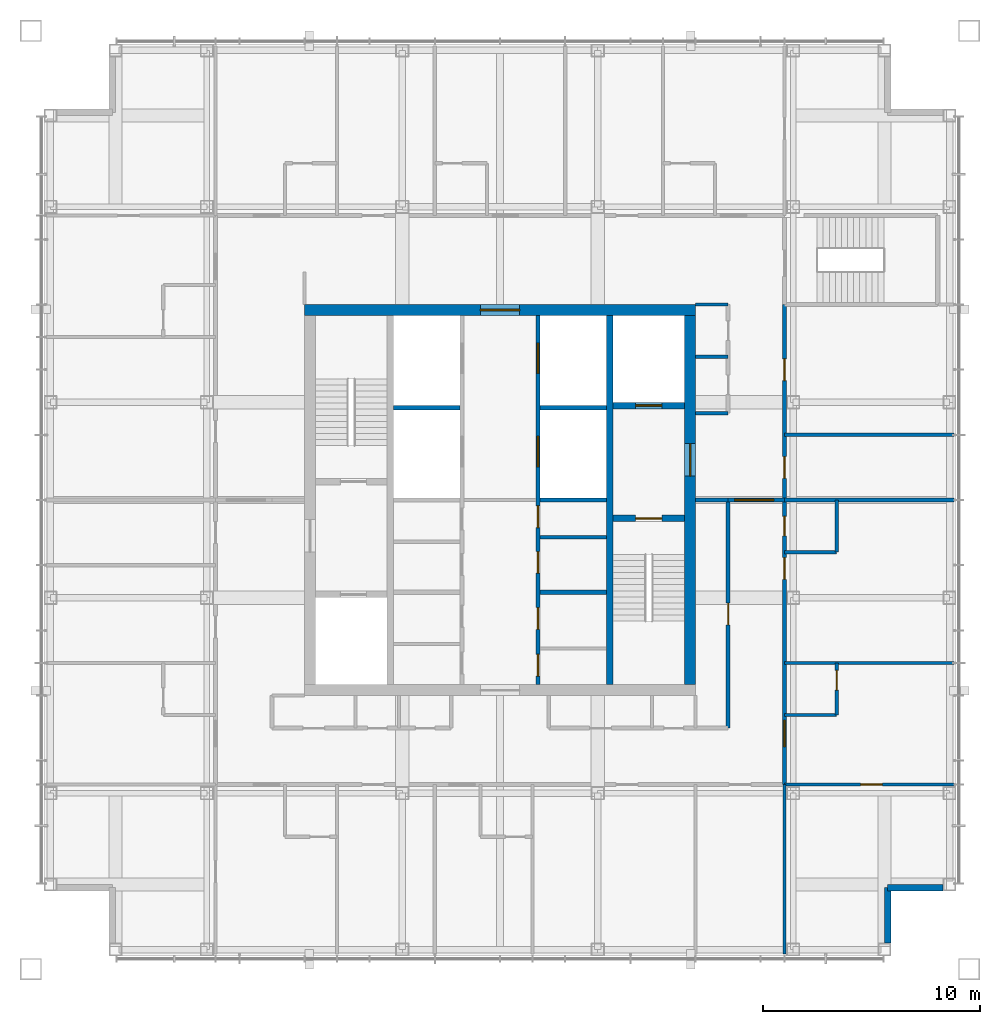
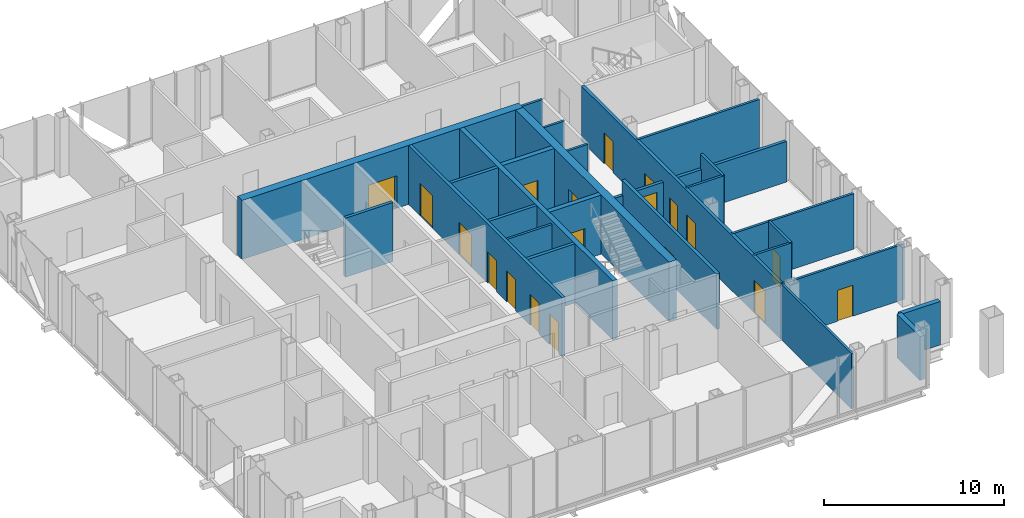
# One storey, part 9 of 11: 29 walls, 19 doors, 19 openings.
"""IFC4 building model written with IfcOpenShell, lengths in metres."""

from ifc_helpers import new_model, si_unit, direction, frame, frame_2d, origin, place, context, subcontext, project, spatial, rectangle, extrude, material, layer, layer_set, type_object, element, fill, save


model = new_model("IFC4")

# Units and contexts
model_context = context("Model", 3, precision=1e-05, world=origin(), true_north=direction((0.0, 1.0)))
body_context = subcontext(model_context, "Body", "Model", "MODEL_VIEW")
ifc_project = project(units=[si_unit("LENGTHUNIT", "METRE"), si_unit("AREAUNIT", "SQUARE_METRE"), si_unit("VOLUMEUNIT", "CUBIC_METRE"), si_unit("PLANEANGLEUNIT", "RADIAN"), si_unit("MASSUNIT", "GRAM", prefix="KILO")], contexts=[model_context])

# Site, building, storey
site_placement = place(None, origin())
site = spatial("IfcSite", under=ifc_project, at=site_placement, CompositionType="ELEMENT")
building_placement = place(site_placement, origin())
building = spatial("IfcBuilding", under=site, at=building_placement, Name="Malebo Sky Hospital", CompositionType="ELEMENT")
storey_placement = place(building_placement, frame((0.0, 0.0, 278.0)))
storey = spatial("IfcBuildingStorey", under=building, at=storey_placement, Name="L67", CompositionType="ELEMENT", Elevation=278.0)

# Wall, openings, doors
ifc_material_1 = material(Name="Concrete C80/95", Category="concrete")
ifc_layer_1 = layer(ifc_material_1, 0.199951171875)
ifc_layer_set_1 = layer_set([ifc_layer_1], Name="CORE INNER WALL 200")
wall_type_1 = type_object("IfcWallType", Name="CORE INNER WALL 200", PredefinedType="SHEAR", material=ifc_layer_set_1)
wall_1_placement = place(storey_placement, frame((61.75, 53.5, 0.0), z_axis=(0.0, 0.0, 1.0), x_axis=(0.0, 1.0, 0.0)))
wall_1 = element("IfcWall", 1, at=wall_1_placement, inside=storey, type_object=wall_type_1, Name="Core wall LE L67", PredefinedType="SHEAR", context=body_context, shape_type="SweptSolid", body=[
    extrude(rectangle(XDim=17.0, YDim=0.199951171875, at=frame_2d((8.5, 0.0))), origin(), (0.0, 0.0, 1.0), 4.0),
])
opening_1_placement = place(wall_1_placement, frame((0.392578125, 0.0, 0.0)))
opening_1 = element("IfcOpeningElement", 2, at=opening_1_placement, cuts=wall_1, Name="Opening D17", PredefinedType="OPENING", context=body_context, shape_type="SweptSolid", body=[
    extrude(rectangle(XDim=1.0, YDim=2.10009765625, at=frame_2d((0.5, 1.050048828125))), frame((0.0, 0.10986328125, 0.0), z_axis=(0.0, -1.0, 0.0), x_axis=(1.0, 0.0, 0.0)), (0.0, 0.0, 1.0), 0.219970703125),
])
opening_2_placement = place(wall_1_placement, frame((2.54248046875, 0.0, 0.0)))
opening_2 = element("IfcOpeningElement", 3, at=opening_2_placement, cuts=wall_1, Name="Opening D17", PredefinedType="OPENING", context=body_context, shape_type="SweptSolid", body=[
    extrude(rectangle(XDim=1.0, YDim=2.10009765625, at=frame_2d((0.5, 1.050048828125))), frame((0.0, 0.10986328125, 0.0), z_axis=(0.0, -1.0, 0.0), x_axis=(1.0, 0.0, 0.0)), (0.0, 0.0, 1.0), 0.219970703125),
])
opening_3_placement = place(wall_1_placement, frame((5.12744140625, 0.0, 0.0)))
opening_3 = element("IfcOpeningElement", 4, at=opening_3_placement, cuts=wall_1, Name="Opening D17", PredefinedType="OPENING", context=body_context, shape_type="SweptSolid", body=[
    extrude(rectangle(XDim=1.0, YDim=2.10009765625, at=frame_2d((0.5, 1.050048828125))), frame((0.0, 0.10986328125, 0.0), z_axis=(0.0, -1.0, 0.0), x_axis=(1.0, 0.0, 0.0)), (0.0, 0.0, 1.0), 0.219970703125),
])
opening_4_placement = place(wall_1_placement, frame((7.2275390625, 0.0, 0.0)))
opening_4 = element("IfcOpeningElement", 5, at=opening_4_placement, cuts=wall_1, Name="Opening D17", PredefinedType="OPENING", context=body_context, shape_type="SweptSolid", body=[
    extrude(rectangle(XDim=1.0, YDim=2.10009765625, at=frame_2d((0.5, 1.050048828125))), frame((0.0, 0.10986328125, 0.0), z_axis=(0.0, -1.0, 0.0), x_axis=(1.0, 0.0, 0.0)), (0.0, 0.0, 1.0), 0.219970703125),
])
opening_5_placement = place(wall_1_placement, frame((10.02490234375, 0.0, 0.0)))
opening_5 = element("IfcOpeningElement", 6, at=opening_5_placement, cuts=wall_1, Name="Opening LD1", PredefinedType="OPENING", context=body_context, shape_type="SweptSolid", body=[
    extrude(rectangle(XDim=1.39990234375, YDim=2.199951171875, at=frame_2d((0.699951171875, 1.10009765625))), frame((0.0, 0.10986328125, 0.0), z_axis=(0.0, -1.0, 0.0), x_axis=(1.0, 0.0, 0.0)), (0.0, 0.0, 1.0), 0.219970703125),
])
opening_6_placement = place(wall_1_placement, frame((14.324951171875, 0.0, 0.0)))
opening_6 = element("IfcOpeningElement", 7, at=opening_6_placement, cuts=wall_1, Name="Opening LD1", PredefinedType="OPENING", context=body_context, shape_type="SweptSolid", body=[
    extrude(rectangle(XDim=1.39990234375, YDim=2.199951171875, at=frame_2d((0.699951171875, 1.10009765625))), frame((0.0, 0.10986328125, 0.0), z_axis=(0.0, -1.0, 0.0), x_axis=(1.0, 0.0, 0.0)), (0.0, 0.0, 1.0), 0.219970703125),
])
ifc_material_2 = material(Name="Hardwood-faced door leaf in steel frame", Category="steel")
door_type_1 = type_object("IfcDoorType", Name="FIRE DOOR 1000", OperationType="SINGLE_SWING_LEFT", PredefinedType="DOOR", material=ifc_material_2)
door_1_placement = place(opening_1_placement, origin())
door_1 = element("IfcDoor", 8, at=door_1_placement, inside=storey, type_object=door_type_1, Name="Archive store door", OperationType="SINGLE_SWING_RIGHT", OverallHeight=2.10009765625, OverallWidth=1.0, PredefinedType="DOOR", context=body_context, shape_type="SweptSolid", body=[
    extrude(rectangle(XDim=1.0, YDim=2.10009765625, at=frame_2d((0.5, 1.050048828125))), frame((0.0, 0.02490234375, 0.0), z_axis=(0.0, -1.0, 0.0), x_axis=(1.0, 0.0, 0.0)), (0.0, 0.0, 1.0), 0.050048828125),
])
fill(opening_1, door_1)
door_2_placement = place(opening_2_placement, origin())
door_2 = element("IfcDoor", 9, at=door_2_placement, inside=storey, type_object=door_type_1, Name="General store door", OperationType="SINGLE_SWING_RIGHT", OverallHeight=2.10009765625, OverallWidth=1.0, PredefinedType="DOOR", context=body_context, shape_type="SweptSolid", body=[
    extrude(rectangle(XDim=1.0, YDim=2.10009765625, at=frame_2d((0.5, 1.050048828125))), frame((0.0, 0.02490234375, 0.0), z_axis=(0.0, -1.0, 0.0), x_axis=(1.0, 0.0, 0.0)), (0.0, 0.0, 1.0), 0.050048828125),
])
fill(opening_2, door_2)
door_3_placement = place(opening_3_placement, origin())
door_3 = element("IfcDoor", 10, at=door_3_placement, inside=storey, type_object=door_type_1, Name="Records store door", OperationType="SINGLE_SWING_RIGHT", OverallHeight=2.10009765625, OverallWidth=1.0, PredefinedType="DOOR", context=body_context, shape_type="SweptSolid", body=[
    extrude(rectangle(XDim=1.0, YDim=2.10009765625, at=frame_2d((0.5, 1.050048828125))), frame((0.0, 0.02490234375, 0.0), z_axis=(0.0, -1.0, 0.0), x_axis=(1.0, 0.0, 0.0)), (0.0, 0.0, 1.0), 0.050048828125),
])
fill(opening_3, door_3)
door_4_placement = place(opening_4_placement, origin())
door_4 = element("IfcDoor", 11, at=door_4_placement, inside=storey, type_object=door_type_1, Name="Equipment store door", OperationType="SINGLE_SWING_RIGHT", OverallHeight=2.10009765625, OverallWidth=1.0, PredefinedType="DOOR", context=body_context, shape_type="SweptSolid", body=[
    extrude(rectangle(XDim=1.0, YDim=2.10009765625, at=frame_2d((0.5, 1.050048828125))), frame((0.0, 0.02490234375, 0.0), z_axis=(0.0, -1.0, 0.0), x_axis=(1.0, 0.0, 0.0)), (0.0, 0.0, 1.0), 0.050048828125),
])
fill(opening_4, door_4)
ifc_material_3 = material(Name="Stainless steel sliding landing door", Category="steel")
door_type_2 = type_object("IfcDoorType", Name="LIFT LANDING DOOR 1400", OperationType="SLIDING_TO_LEFT", PredefinedType="DOOR", material=ifc_material_3)
door_5_placement = place(opening_5_placement, origin())
door_5 = element("IfcDoor", 12, at=door_5_placement, inside=storey, type_object=door_type_2, Name="Lift E3 landing door", OperationType="SLIDING_TO_LEFT", OverallHeight=2.199951171875, OverallWidth=1.39990234375, PredefinedType="DOOR", context=body_context, shape_type="SweptSolid", body=[
    extrude(rectangle(XDim=1.39990234375, YDim=2.199951171875, at=frame_2d((0.699951171875, 1.10009765625))), frame((0.0, 0.02490234375, 0.0), z_axis=(0.0, -1.0, 0.0), x_axis=(1.0, 0.0, 0.0)), (0.0, 0.0, 1.0), 0.050048828125),
])
fill(opening_5, door_5)
door_6_placement = place(opening_6_placement, origin())
door_6 = element("IfcDoor", 13, at=door_6_placement, inside=storey, type_object=door_type_2, Name="Lift E4 landing door", OperationType="SLIDING_TO_LEFT", OverallHeight=2.199951171875, OverallWidth=1.39990234375, PredefinedType="DOOR", context=body_context, shape_type="SweptSolid", body=[
    extrude(rectangle(XDim=1.39990234375, YDim=2.199951171875, at=frame_2d((0.699951171875, 1.10009765625))), frame((0.0, 0.02490234375, 0.0), z_axis=(0.0, -1.0, 0.0), x_axis=(1.0, 0.0, 0.0)), (0.0, 0.0, 1.0), 0.050048828125),
])
fill(opening_6, door_6)

# Walls
for number, where, z_axis, x_axis, name in (
    (14, (61.85009765625, 57.75, 0.0), (0.0, 0.0, 1.0), (1.0, 0.0, 0.0), "Core wall SE0 L67"),
    (15, (61.85009765625, 62.0, 0.0), (0.0, 0.0, 1.0), (1.0, 0.0, 0.0), "Core wall SE1 L67"),
    (16, (55.10009765625, 66.25, 0.0), (0.0, 0.0, 1.0), (1.0, 0.0, 0.0), "Core wall SW2 L67"),
    (17, (61.85009765625, 66.25, 0.0), (0.0, 0.0, 1.0), (1.0, 0.0, 0.0), "Core wall SE2 L67"),
):
    element("IfcWall", number, at=place(storey_placement, frame(where, z_axis=z_axis, x_axis=x_axis)), inside=storey, type_object=wall_type_1, Name=name, PredefinedType="SHEAR", context=body_context, shape_type="SweptSolid", body=[
        extrude(rectangle(XDim=3.0498046875, YDim=0.199951171875, at=frame_2d((1.52490234375, 0.0))), origin(), (0.0, 0.0, 1.0), 4.0),
    ])
ifc_layer_2 = layer(ifc_material_1, 0.300048828125)
ifc_layer_set_2 = layer_set([ifc_layer_2], Name="CORE INNER WALL 300")
wall_type_2 = type_object("IfcWallType", Name="CORE INNER WALL 300", PredefinedType="SHEAR", material=ifc_layer_set_2)
wall_2_placement = place(storey_placement, frame((65.050048828125, 53.5, 0.0), z_axis=(0.0, 0.0, 1.0), x_axis=(0.0, 1.0, 0.0)))
element("IfcWall", 18, at=wall_2_placement, inside=storey, type_object=wall_type_2, Name="Core wall XE L67", PredefinedType="SHEAR", context=body_context, shape_type="SweptSolid", body=[
    extrude(rectangle(XDim=17.0, YDim=0.300048828125, at=frame_2d((8.5, 0.0))), origin(), (0.0, 0.0, 1.0), 4.0),
])

# Wall, opening, door
wall_3_placement = place(storey_placement, frame((65.199951171875, 61.14990234375, 0.0), z_axis=(0.0, 0.0, 1.0), x_axis=(1.0, 0.0, 0.0)))
wall_3 = element("IfcWall", 19, at=wall_3_placement, inside=storey, type_object=wall_type_2, Name="Core wall E1 L67", PredefinedType="SHEAR", context=body_context, shape_type="SweptSolid", body=[
    extrude(rectangle(XDim=3.300048828125, YDim=0.300048828125, at=frame_2d((1.64990234375, 0.0))), origin(), (0.0, 0.0, 1.0), 4.0),
])
opening_7_placement = place(wall_3_placement, frame((1.050048828125, 0.0, 0.0)))
opening_7 = element("IfcOpeningElement", 20, at=opening_7_placement, cuts=wall_3, Name="Opening D08", PredefinedType="OPENING", context=body_context, shape_type="SweptSolid", body=[
    extrude(rectangle(XDim=1.199951171875, YDim=2.10009765625, at=frame_2d((0.60009765625, 1.050048828125))), frame((0.0, 0.159912109375, 0.0), z_axis=(0.0, -1.0, 0.0), x_axis=(1.0, 0.0, 0.0)), (0.0, 0.0, 1.0), 0.320068359375),
])
door_type_3 = type_object("IfcDoorType", Name="STAIR DOOR 1200", OperationType="SINGLE_SWING_LEFT", PredefinedType="DOOR", material=ifc_material_2)
door_7_placement = place(opening_7_placement, origin())
door_7 = element("IfcDoor", 21, at=door_7_placement, inside=storey, type_object=door_type_3, Name="Stair S2 door", OperationType="SINGLE_SWING_LEFT", OverallHeight=2.10009765625, OverallWidth=1.199951171875, PredefinedType="DOOR", context=body_context, shape_type="SweptSolid", body=[
    extrude(rectangle(XDim=1.199951171875, YDim=2.10009765625, at=frame_2d((0.60009765625, 1.050048828125))), frame((0.0, 0.02490234375, 0.0), z_axis=(0.0, -1.0, 0.0), x_axis=(1.0, 0.0, 0.0)), (0.0, 0.0, 1.0), 0.050048828125),
])
fill(opening_7, door_7)

wall_4_placement = place(storey_placement, frame((65.199951171875, 66.35009765625, 0.0), z_axis=(0.0, 0.0, 1.0), x_axis=(1.0, 0.0, 0.0)))
wall_4 = element("IfcWall", 22, at=wall_4_placement, inside=storey, type_object=wall_type_2, Name="Core wall E2 L67", PredefinedType="SHEAR", context=body_context, shape_type="SweptSolid", body=[
    extrude(rectangle(XDim=3.300048828125, YDim=0.300048828125, at=frame_2d((1.64990234375, 0.0))), origin(), (0.0, 0.0, 1.0), 4.0),
])
opening_8_placement = place(wall_4_placement, frame((1.050048828125, 0.0, 0.0)))
opening_8 = element("IfcOpeningElement", 23, at=opening_8_placement, cuts=wall_4, Name="Opening LD2", PredefinedType="OPENING", context=body_context, shape_type="SweptSolid", body=[
    extrude(rectangle(XDim=1.199951171875, YDim=2.199951171875, at=frame_2d((0.60009765625, 1.10009765625))), frame((0.0, 0.159912109375, 0.0), z_axis=(0.0, -1.0, 0.0), x_axis=(1.0, 0.0, 0.0)), (0.0, 0.0, 1.0), 0.320068359375),
])
door_type_4 = type_object("IfcDoorType", Name="FIRE-FIGHTING LIFT LANDING DOOR 1200", OperationType="SLIDING_TO_LEFT", PredefinedType="DOOR", material=ifc_material_3)
door_8_placement = place(opening_8_placement, origin())
door_8 = element("IfcDoor", 24, at=door_8_placement, inside=storey, type_object=door_type_4, Name="Lift FL2 landing door", OperationType="SLIDING_TO_LEFT", OverallHeight=2.199951171875, OverallWidth=1.199951171875, PredefinedType="DOOR", context=body_context, shape_type="SweptSolid", body=[
    extrude(rectangle(XDim=1.199951171875, YDim=2.199951171875, at=frame_2d((0.60009765625, 1.10009765625))), frame((0.0, 0.02490234375, 0.0), z_axis=(0.0, -1.0, 0.0), x_axis=(1.0, 0.0, 0.0)), (0.0, 0.0, 1.0), 0.050048828125),
])
fill(opening_8, door_8)

ifc_layer_3 = layer(ifc_material_1, 0.5)
ifc_layer_set_3 = layer_set([ifc_layer_3], Name="CORE WALL 500")
wall_type_3 = type_object("IfcWallType", Name="CORE WALL 500", PredefinedType="SHEAR", material=ifc_layer_set_3)
wall_5_placement = place(storey_placement, frame((51.0, 70.75, 0.0), z_axis=(0.0, 0.0, 1.0), x_axis=(1.0, 0.0, 0.0)))
wall_5 = element("IfcWall", 25, at=wall_5_placement, inside=storey, type_object=wall_type_3, Name="Core wall N L67", PredefinedType="SHEAR", context=body_context, shape_type="SweptSolid", body=[
    extrude(rectangle(XDim=18.0, YDim=0.5, at=frame_2d((9.0, 0.0))), origin(), (0.0, 0.0, 1.0), 4.0),
])
opening_9_placement = place(wall_5_placement, frame((8.10009765625, 0.0, 0.0)))
opening_9 = element("IfcOpeningElement", 26, at=opening_9_placement, cuts=wall_5, Name="Opening D06", PredefinedType="OPENING", context=body_context, shape_type="SweptSolid", body=[
    extrude(rectangle(XDim=1.800048828125, YDim=2.199951171875, at=frame_2d((0.89990234375, 1.10009765625))), frame((0.0, 0.260009765625, 0.0), z_axis=(0.0, -1.0, 0.0), x_axis=(1.0, 0.0, 0.0)), (0.0, 0.0, 1.0), 0.52001953125),
])
door_type_5 = type_object("IfcDoorType", Name="LOBBY DOOR PAIR 1800", OperationType="DOUBLE_DOOR_SINGLE_SWING", PredefinedType="DOOR", material=ifc_material_2)
door_9_placement = place(opening_9_placement, origin())
door_9 = element("IfcDoor", 27, at=door_9_placement, inside=storey, type_object=door_type_5, Name="Lift lobby door north", OperationType="DOUBLE_DOOR_SINGLE_SWING", OverallHeight=2.199951171875, OverallWidth=1.800048828125, PredefinedType="DOOR", context=body_context, shape_type="SweptSolid", body=[
    extrude(rectangle(XDim=1.800048828125, YDim=2.199951171875, at=frame_2d((0.89990234375, 1.10009765625))), frame((0.0, 0.02490234375, 0.0), z_axis=(0.0, -1.0, 0.0), x_axis=(1.0, 0.0, 0.0)), (0.0, 0.0, 1.0), 0.050048828125),
])
fill(opening_9, door_9)

wall_6_placement = place(storey_placement, frame((68.75, 53.5, 0.0), z_axis=(0.0, 0.0, 1.0), x_axis=(0.0, 1.0, 0.0)))
wall_6 = element("IfcWall", 28, at=wall_6_placement, inside=storey, type_object=wall_type_3, Name="Core wall E L67", PredefinedType="SHEAR", context=body_context, shape_type="SweptSolid", body=[
    extrude(rectangle(XDim=17.0, YDim=0.5, at=frame_2d((8.5, 0.0))), origin(), (0.0, 0.0, 1.0), 4.0),
])
opening_10_placement = place(wall_6_placement, frame((9.60009765625, 0.0, 0.0)))
opening_10 = element("IfcOpeningElement", 29, at=opening_10_placement, cuts=wall_6, Name="Opening D07", PredefinedType="OPENING", context=body_context, shape_type="SweptSolid", body=[
    extrude(rectangle(XDim=1.5, YDim=2.199951171875, at=frame_2d((0.75, 1.10009765625))), frame((0.0, 0.260009765625, 0.0), z_axis=(0.0, -1.0, 0.0), x_axis=(1.0, 0.0, 0.0)), (0.0, 0.0, 1.0), 0.52001953125),
])
door_type_6 = type_object("IfcDoorType", Name="FIRE-FIGHTING LOBBY DOOR PAIR 1500", OperationType="DOUBLE_DOOR_SINGLE_SWING", PredefinedType="DOOR", material=ifc_material_2)
door_10_placement = place(opening_10_placement, origin())
door_10 = element("IfcDoor", 30, at=door_10_placement, inside=storey, type_object=door_type_6, Name="Fire-fighting lobby door east", OperationType="DOUBLE_DOOR_SINGLE_SWING", OverallHeight=2.199951171875, OverallWidth=1.5, PredefinedType="DOOR", context=body_context, shape_type="SweptSolid", body=[
    extrude(rectangle(XDim=1.5, YDim=2.199951171875, at=frame_2d((0.75, 1.10009765625))), frame((0.0, 0.02490234375, 0.0), z_axis=(0.0, -1.0, 0.0), x_axis=(1.0, 0.0, 0.0)), (0.0, 0.0, 1.0), 0.050048828125),
])
fill(opening_10, door_10)

# Wall, openings, doors
ifc_material_4 = material(Name="Gypsum board on steel studs", Category="steel")
ifc_layer_4 = layer(ifc_material_4, 0.199951171875)
ifc_layer_set_4 = layer_set([ifc_layer_4], Name="CORRIDOR WALL 200")
wall_type_4 = type_object("IfcWallType", Name="CORRIDOR WALL 200", PredefinedType="PARTITIONING", material=ifc_layer_set_4)
wall_7_placement = place(storey_placement, frame((73.10009765625, 71.0, 0.0), z_axis=(0.0, 0.0, 1.0), x_axis=(0.0, -1.0, 0.0)))
wall_7 = element("IfcWall", 31, at=wall_7_placement, inside=storey, type_object=wall_type_4, Name="Corridor Wall 200 ECO", PredefinedType="PARTITIONING", context=body_context, shape_type="SweptSolid", body=[
    extrude(rectangle(XDim=22.10009765625, YDim=0.199951171875, at=frame_2d((11.050048828125, 0.0))), origin(), (0.0, 0.0, 1.0), 3.75),
])
opening_11_placement = place(wall_7_placement, frame((2.5, 0.0, 0.0)))
opening_11 = element("IfcOpeningElement", 32, at=opening_11_placement, cuts=wall_7, Name="Opening D03", PredefinedType="OPENING", context=body_context, shape_type="SweptSolid", body=[
    extrude(rectangle(XDim=1.0, YDim=2.10009765625, at=frame_2d((0.5, 1.050048828125))), frame((0.0, 0.10986328125, 0.0), z_axis=(0.0, -1.0, 0.0), x_axis=(1.0, 0.0, 0.0)), (0.0, 0.0, 1.0), 0.219970703125),
])
opening_12_placement = place(wall_7_placement, frame((7.0, 0.0, 0.0)))
opening_12 = element("IfcOpeningElement", 33, at=opening_12_placement, cuts=wall_7, Name="Opening D03", PredefinedType="OPENING", context=body_context, shape_type="SweptSolid", body=[
    extrude(rectangle(XDim=1.0, YDim=2.10009765625, at=frame_2d((0.5, 1.050048828125))), frame((0.0, 0.10986328125, 0.0), z_axis=(0.0, -1.0, 0.0), x_axis=(1.0, 0.0, 0.0)), (0.0, 0.0, 1.0), 0.219970703125),
])
opening_13_placement = place(wall_7_placement, frame((9.75, 0.0, 0.0)))
opening_13 = element("IfcOpeningElement", 34, at=opening_13_placement, cuts=wall_7, Name="Opening D04", PredefinedType="OPENING", context=body_context, shape_type="SweptSolid", body=[
    extrude(rectangle(XDim=0.89990234375, YDim=2.10009765625, at=frame_2d((0.449951171875, 1.050048828125))), frame((0.0, 0.10986328125, 0.0), z_axis=(0.0, -1.0, 0.0), x_axis=(1.0, 0.0, 0.0)), (0.0, 0.0, 1.0), 0.219970703125),
])
opening_14_placement = place(wall_7_placement, frame((11.64990234375, 0.0, 0.0)))
opening_14 = element("IfcOpeningElement", 35, at=opening_14_placement, cuts=wall_7, Name="Opening D03", PredefinedType="OPENING", context=body_context, shape_type="SweptSolid", body=[
    extrude(rectangle(XDim=1.0, YDim=2.10009765625, at=frame_2d((0.5, 1.050048828125))), frame((0.0, 0.10986328125, 0.0), z_axis=(0.0, -1.0, 0.0), x_axis=(1.0, 0.0, 0.0)), (0.0, 0.0, 1.0), 0.219970703125),
])
opening_15_placement = place(wall_7_placement, frame((19.14990234375, 0.0, 0.0)))
opening_15 = element("IfcOpeningElement", 36, at=opening_15_placement, cuts=wall_7, Name="Opening D01", PredefinedType="OPENING", context=body_context, shape_type="SweptSolid", body=[
    extrude(rectangle(XDim=1.199951171875, YDim=2.199951171875, at=frame_2d((0.60009765625, 1.10009765625))), frame((0.0, 0.10986328125, 0.0), z_axis=(0.0, -1.0, 0.0), x_axis=(1.0, 0.0, 0.0)), (0.0, 0.0, 1.0), 0.219970703125),
])
door_type_7 = type_object("IfcDoorType", Name="BED DOOR 1200", OperationType="SINGLE_SWING_LEFT", PredefinedType="DOOR", material=ifc_material_2)
door_11_placement = place(opening_15_placement, origin())
door_11 = element("IfcDoor", 37, at=door_11_placement, inside=storey, type_object=door_type_7, Name="Private patient suite door", OperationType="SINGLE_SWING_LEFT", OverallHeight=2.199951171875, OverallWidth=1.199951171875, PredefinedType="DOOR", context=body_context, shape_type="SweptSolid", body=[
    extrude(rectangle(XDim=1.199951171875, YDim=2.199951171875, at=frame_2d((0.60009765625, 1.10009765625))), frame((0.0, 0.02490234375, 0.0), z_axis=(0.0, -1.0, 0.0), x_axis=(1.0, 0.0, 0.0)), (0.0, 0.0, 1.0), 0.050048828125),
])
fill(opening_15, door_11)
door_type_8 = type_object("IfcDoorType", Name="ROOM DOOR 1000", OperationType="SINGLE_SWING_LEFT", PredefinedType="DOOR", material=ifc_material_2)
door_12_placement = place(opening_11_placement, origin())
door_12 = element("IfcDoor", 38, at=door_12_placement, inside=storey, type_object=door_type_8, Name="Interview room door", OperationType="SINGLE_SWING_LEFT", OverallHeight=2.10009765625, OverallWidth=1.0, PredefinedType="DOOR", context=body_context, shape_type="SweptSolid", body=[
    extrude(rectangle(XDim=1.0, YDim=2.10009765625, at=frame_2d((0.5, 1.050048828125))), frame((0.0, 0.02490234375, 0.0), z_axis=(0.0, -1.0, 0.0), x_axis=(1.0, 0.0, 0.0)), (0.0, 0.0, 1.0), 0.050048828125),
])
fill(opening_11, door_12)
door_13_placement = place(opening_12_placement, origin())
door_13 = element("IfcDoor", 39, at=door_13_placement, inside=storey, type_object=door_type_8, Name="Ward pantry door", OperationType="SINGLE_SWING_RIGHT", OverallHeight=2.10009765625, OverallWidth=1.0, PredefinedType="DOOR", context=body_context, shape_type="SweptSolid", body=[
    extrude(rectangle(XDim=1.0, YDim=2.10009765625, at=frame_2d((0.5, 1.050048828125))), frame((0.0, 0.02490234375, 0.0), z_axis=(0.0, -1.0, 0.0), x_axis=(1.0, 0.0, 0.0)), (0.0, 0.0, 1.0), 0.050048828125),
])
fill(opening_12, door_13)
door_14_placement = place(opening_14_placement, origin())
door_14 = element("IfcDoor", 40, at=door_14_placement, inside=storey, type_object=door_type_8, Name="Staff rest room door", OperationType="SINGLE_SWING_LEFT", OverallHeight=2.10009765625, OverallWidth=1.0, PredefinedType="DOOR", context=body_context, shape_type="SweptSolid", body=[
    extrude(rectangle(XDim=1.0, YDim=2.10009765625, at=frame_2d((0.5, 1.050048828125))), frame((0.0, 0.02490234375, 0.0), z_axis=(0.0, -1.0, 0.0), x_axis=(1.0, 0.0, 0.0)), (0.0, 0.0, 1.0), 0.050048828125),
])
fill(opening_14, door_14)
door_type_9 = type_object("IfcDoorType", Name="ROOM DOOR 900", OperationType="SINGLE_SWING_LEFT", PredefinedType="DOOR", material=ifc_material_2)
door_15_placement = place(opening_13_placement, origin())
door_15 = element("IfcDoor", 41, at=door_15_placement, inside=storey, type_object=door_type_9, Name="Accessible WC door", OperationType="SINGLE_SWING_LEFT", OverallHeight=2.10009765625, OverallWidth=0.89990234375, PredefinedType="DOOR", context=body_context, shape_type="SweptSolid", body=[
    extrude(rectangle(XDim=0.89990234375, YDim=2.10009765625, at=frame_2d((0.449951171875, 1.050048828125))), frame((0.0, 0.02490234375, 0.0), z_axis=(0.0, -1.0, 0.0), x_axis=(1.0, 0.0, 0.0)), (0.0, 0.0, 1.0), 0.050048828125),
])
fill(opening_13, door_15)

# Wall, opening, door
wall_8_placement = place(storey_placement, frame((70.5, 62.0, 0.0), z_axis=(0.0, 0.0, 1.0), x_axis=(0.0, -1.0, 0.0)))
wall_8 = element("IfcWall", 42, at=wall_8_placement, inside=storey, type_object=wall_type_4, Name="Corridor Wall 200 ECI2", PredefinedType="PARTITIONING", context=body_context, shape_type="SweptSolid", body=[
    extrude(rectangle(XDim=10.5, YDim=0.199951171875, at=frame_2d((5.25, 0.0))), origin(), (0.0, 0.0, 1.0), 3.75),
])
opening_16_placement = place(wall_8_placement, frame((4.75, 0.0, 0.0)))
opening_16 = element("IfcOpeningElement", 43, at=opening_16_placement, cuts=wall_8, Name="Opening D03", PredefinedType="OPENING", context=body_context, shape_type="SweptSolid", body=[
    extrude(rectangle(XDim=1.0, YDim=2.10009765625, at=frame_2d((0.5, 1.050048828125))), frame((0.0, 0.10986328125, 0.0), z_axis=(0.0, -1.0, 0.0), x_axis=(1.0, 0.0, 0.0)), (0.0, 0.0, 1.0), 0.219970703125),
])
door_16_placement = place(opening_16_placement, origin())
door_16 = element("IfcDoor", 44, at=door_16_placement, inside=storey, type_object=door_type_8, Name="Supplies store door", OperationType="SINGLE_SWING_LEFT", OverallHeight=2.10009765625, OverallWidth=1.0, PredefinedType="DOOR", context=body_context, shape_type="SweptSolid", body=[
    extrude(rectangle(XDim=1.0, YDim=2.10009765625, at=frame_2d((0.5, 1.050048828125))), frame((0.0, 0.02490234375, 0.0), z_axis=(0.0, -1.0, 0.0), x_axis=(1.0, 0.0, 0.0)), (0.0, 0.0, 1.0), 0.050048828125),
])
fill(opening_16, door_16)

# Walls
ifc_material_5 = material(Name="Anodised aluminium rainscreen on steel framing", Category="steel")
ifc_layer_5 = layer(ifc_material_5, 0.300048828125)
ifc_layer_set_5 = layer_set([ifc_layer_5], Name="NOTCH RAINSCREEN WALL 300")
wall_type_5 = type_object("IfcWallType", Name="NOTCH RAINSCREEN WALL 300", PredefinedType="ELEMENTEDWALL", material=ifc_layer_set_5)
for number, where, z_axis, x_axis, name in (
    (45, (80.39990234375, 44.14990234375, 0.0), (0.0, 0.0, 1.0), (-1.0, 0.0, 0.0), "Notch rainscreen wall E1 L67"),
    (46, (77.85009765625, 44.14990234375, 0.0), (0.0, 0.0, 1.0), (0.0, -1.0, 0.0), "Notch rainscreen wall E2 L67"),
):
    element("IfcWall", number, at=place(storey_placement, frame(where, z_axis=z_axis, x_axis=x_axis)), inside=storey, type_object=wall_type_5, Name=name, PredefinedType="ELEMENTEDWALL", context=body_context, shape_type="SweptSolid", body=[
        extrude(rectangle(XDim=2.5498046875, YDim=0.300048828125, at=frame_2d((1.27490234375, 0.0))), origin(), (0.0, 0.0, 1.0), 2.949951171875),
    ])
ifc_layer_6 = layer(ifc_material_4, 0.14990234375)
ifc_layer_set_6 = layer_set([ifc_layer_6], Name="PARTITION 150")
wall_type_6 = type_object("IfcWallType", Name="PARTITION 150", PredefinedType="PARTITIONING", material=ifc_layer_set_6)
for number, where, z_axis, x_axis, name in (
    (47, (73.10009765625, 48.89990234375, 0.0), (0.0, 0.0, 1.0), (0.0, -1.0, 0.0), "Partition 150 SP0"),
    (48, (73.10009765625, 65.0, 0.0), (0.0, 0.0, 1.0), (1.0, 0.0, 0.0), "Partition 150 EP-3.0"),
    (49, (73.10009765625, 54.5, 0.0), (0.0, 0.0, 1.0), (1.0, 0.0, 0.0), "Partition 150 EP+7.5"),
):
    element("IfcWall", number, at=place(storey_placement, frame(where, z_axis=z_axis, x_axis=x_axis)), inside=storey, type_object=wall_type_6, Name=name, PredefinedType="PARTITIONING", context=body_context, shape_type="SweptSolid", body=[
        extrude(rectangle(XDim=7.7998046875, YDim=0.14990234375, at=frame_2d((3.89990234375, 0.0))), origin(), (0.0, 0.0, 1.0), 3.75),
    ])
for number, where, z_axis, x_axis, name in (
    (50, (75.5, 62.0, 0.0), (0.0, 0.0, 1.0), (0.0, -1.0, 0.0), "Partition 150 EC3F"),
    (51, (73.10009765625, 59.60009765625, 0.0), (0.0, 0.0, 1.0), (1.0, 0.0, 0.0), "Partition 150 EC3S"),
):
    element("IfcWall", number, at=place(storey_placement, frame(where, z_axis=z_axis, x_axis=x_axis)), inside=storey, type_object=wall_type_6, Name=name, PredefinedType="PARTITIONING", context=body_context, shape_type="SweptSolid", body=[
        extrude(rectangle(XDim=2.39990234375, YDim=0.14990234375, at=frame_2d((1.199951171875, 0.0))), origin(), (0.0, 0.0, 1.0), 3.75),
    ])

# Wall, opening, door
wall_9_placement = place(storey_placement, frame((73.10009765625, 48.89990234375, 0.0), z_axis=(0.0, 0.0, 1.0), x_axis=(1.0, 0.0, 0.0)))
wall_9 = element("IfcWall", 52, at=wall_9_placement, inside=storey, type_object=wall_type_6, Name="Partition 150 EK", PredefinedType="PARTITIONING", context=body_context, shape_type="SweptSolid", body=[
    extrude(rectangle(XDim=7.7998046875, YDim=0.14990234375, at=frame_2d((3.89990234375, 0.0))), origin(), (0.0, 0.0, 1.0), 3.75),
])
opening_17_placement = place(wall_9_placement, frame((3.5, 0.0, 0.0)))
opening_17 = element("IfcOpeningElement", 53, at=opening_17_placement, cuts=wall_9, Name="Opening D03", PredefinedType="OPENING", context=body_context, shape_type="SweptSolid", body=[
    extrude(rectangle(XDim=1.0, YDim=2.10009765625, at=frame_2d((0.5, 1.050048828125))), frame((0.0, 0.0849609375, 0.0), z_axis=(0.0, -1.0, 0.0), x_axis=(1.0, 0.0, 0.0)), (0.0, 0.0, 1.0), 0.169921875),
])
door_17_placement = place(opening_17_placement, origin())
door_17 = element("IfcDoor", 54, at=door_17_placement, inside=storey, type_object=door_type_8, Name="Suite sitting room door", OperationType="SINGLE_SWING_RIGHT", OverallHeight=2.10009765625, OverallWidth=1.0, PredefinedType="DOOR", context=body_context, shape_type="SweptSolid", body=[
    extrude(rectangle(XDim=1.0, YDim=2.10009765625, at=frame_2d((0.5, 1.050048828125))), frame((0.0, 0.02490234375, 0.0), z_axis=(0.0, -1.0, 0.0), x_axis=(1.0, 0.0, 0.0)), (0.0, 0.0, 1.0), 0.050048828125),
])
fill(opening_17, door_17)

wall_10_placement = place(storey_placement, frame((75.5, 54.5, 0.0), z_axis=(0.0, 0.0, 1.0), x_axis=(0.0, -1.0, 0.0)))
wall_10 = element("IfcWall", 55, at=wall_10_placement, inside=storey, type_object=wall_type_6, Name="Partition 150 EE4F", PredefinedType="PARTITIONING", context=body_context, shape_type="SweptSolid", body=[
    extrude(rectangle(XDim=2.39990234375, YDim=0.14990234375, at=frame_2d((1.199951171875, 0.0))), origin(), (0.0, 0.0, 1.0), 3.75),
])
opening_18_placement = place(wall_10_placement, frame((0.35009765625, 0.0, 0.0)))
opening_18 = element("IfcOpeningElement", 56, at=opening_18_placement, cuts=wall_10, Name="Opening D02", PredefinedType="OPENING", context=body_context, shape_type="SweptSolid", body=[
    extrude(rectangle(XDim=0.89990234375, YDim=2.10009765625, at=frame_2d((0.449951171875, 1.050048828125))), frame((0.0, 0.0849609375, 0.0), z_axis=(0.0, -1.0, 0.0), x_axis=(1.0, 0.0, 0.0)), (0.0, 0.0, 1.0), 0.169921875),
])
door_type_10 = type_object("IfcDoorType", Name="EN-SUITE DOOR 900", OperationType="SINGLE_SWING_LEFT", PredefinedType="DOOR", material=ifc_material_2)
door_18_placement = place(opening_18_placement, origin())
door_18 = element("IfcDoor", 57, at=door_18_placement, inside=storey, type_object=door_type_10, Name="En-suite door", OperationType="SINGLE_SWING_LEFT", OverallHeight=2.10009765625, OverallWidth=0.89990234375, PredefinedType="DOOR", context=body_context, shape_type="SweptSolid", body=[
    extrude(rectangle(XDim=0.89990234375, YDim=2.10009765625, at=frame_2d((0.449951171875, 1.050048828125))), frame((0.0, 0.02490234375, 0.0), z_axis=(0.0, -1.0, 0.0), x_axis=(1.0, 0.0, 0.0)), (0.0, 0.0, 1.0), 0.050048828125),
])
fill(opening_18, door_18)

# Walls
wall_11_placement = place(storey_placement, frame((73.10009765625, 52.10009765625, 0.0), z_axis=(0.0, 0.0, 1.0), x_axis=(1.0, 0.0, 0.0)))
element("IfcWall", 58, at=wall_11_placement, inside=storey, type_object=wall_type_6, Name="Partition 150 EE4S", PredefinedType="PARTITIONING", context=body_context, shape_type="SweptSolid", body=[
    extrude(rectangle(XDim=2.39990234375, YDim=0.14990234375, at=frame_2d((1.199951171875, 0.0))), origin(), (0.0, 0.0, 1.0), 3.75),
])
for number, where, z_axis, x_axis, name in (
    (59, (69.0, 71.0, 0.0), (0.0, 0.0, 1.0), (1.0, 0.0, 0.0), "Partition 150 ESP0"),
    (60, (69.0, 66.0, 0.0), (0.0, 0.0, 1.0), (1.0, 0.0, 0.0), "Partition 150 ESPA"),
    (61, (69.0, 68.60009765625, 0.0), (0.0, 0.0, 1.0), (1.0, 0.0, 0.0), "Partition 150 ESP-6.6"),
):
    element("IfcWall", number, at=place(storey_placement, frame(where, z_axis=z_axis, x_axis=x_axis)), inside=storey, type_object=wall_type_6, Name=name, PredefinedType="PARTITIONING", context=body_context, shape_type="SweptSolid", body=[
        extrude(rectangle(XDim=1.5, YDim=0.14990234375, at=frame_2d((0.75, 0.0))), origin(), (0.0, 0.0, 1.0), 3.75),
    ])
wall_12_placement = place(storey_placement, frame((61.85009765625, 60.280029296875, 0.0), z_axis=(0.0, 0.0, 1.0), x_axis=(1.0, 0.0, 0.0)))
element("IfcWall", 62, at=wall_12_placement, inside=storey, type_object=wall_type_6, Name="Partition 150 SHE2", PredefinedType="PARTITIONING", context=body_context, shape_type="SweptSolid", body=[
    extrude(rectangle(XDim=3.0498046875, YDim=0.14990234375, at=frame_2d((1.52490234375, 0.0))), origin(), (0.0, 0.0, 1.0), 3.75),
])
ifc_material_6 = material(Name="Concrete blockwork", Category="masonry")
ifc_layer_7 = layer(ifc_material_6, 0.199951171875)
ifc_layer_set_7 = layer_set([ifc_layer_7], Name="SMOKE BARRIER WALL 200")
wall_type_7 = type_object("IfcWallType", Name="SMOKE BARRIER WALL 200", PredefinedType="SOLIDWALL", material=ifc_layer_set_7)
wall_13_placement = place(storey_placement, frame((73.10009765625, 62.0, 0.0), z_axis=(0.0, 0.0, 1.0), x_axis=(1.0, 0.0, 0.0)))
element("IfcWall", 63, at=wall_13_placement, inside=storey, type_object=wall_type_7, Name="Smoke Barrier Wall 200 EP+0.0", PredefinedType="SOLIDWALL", context=body_context, shape_type="SweptSolid", body=[
    extrude(rectangle(XDim=7.7998046875, YDim=0.199951171875, at=frame_2d((3.89990234375, 0.0))), origin(), (0.0, 0.0, 1.0), 2.75),
])
wall_14_placement = place(storey_placement, frame((69.0, 62.0, 0.0), z_axis=(0.0, 0.0, 1.0), x_axis=(1.0, 0.0, 0.0)))
element("IfcWall", 64, at=wall_14_placement, inside=storey, type_object=wall_type_7, Name="Smoke Barrier Wall 200 ESPB", PredefinedType="SOLIDWALL", context=body_context, shape_type="SweptSolid", body=[
    extrude(rectangle(XDim=1.5, YDim=0.199951171875, at=frame_2d((0.75, 0.0))), origin(), (0.0, 0.0, 1.0), 2.75),
])

# Wall, opening, door
wall_15_placement = place(storey_placement, frame((70.5, 62.0, 0.0), z_axis=(0.0, 0.0, 1.0), x_axis=(1.0, 0.0, 0.0)))
wall_15 = element("IfcWall", 65, at=wall_15_placement, inside=storey, type_object=wall_type_7, Name="Smoke Barrier Wall 200 ESB", PredefinedType="SOLIDWALL", context=body_context, shape_type="SweptSolid", body=[
    extrude(rectangle(XDim=2.60009765625, YDim=0.199951171875, at=frame_2d((1.300048828125, 0.0))), origin(), (0.0, 0.0, 1.0), 2.75),
])
opening_19_placement = place(wall_15_placement, frame((0.300048828125, 0.0, 0.0)))
opening_19 = element("IfcOpeningElement", 66, at=opening_19_placement, cuts=wall_15, Name="Opening D05", PredefinedType="OPENING", context=body_context, shape_type="SweptSolid", body=[
    extrude(rectangle(XDim=1.800048828125, YDim=2.199951171875, at=frame_2d((0.89990234375, 1.10009765625))), frame((0.0, 0.10986328125, 0.0), z_axis=(0.0, -1.0, 0.0), x_axis=(1.0, 0.0, 0.0)), (0.0, 0.0, 1.0), 0.219970703125),
])
door_type_11 = type_object("IfcDoorType", Name="SMOKE DOOR PAIR 1800", OperationType="DOUBLE_DOOR_DOUBLE_SWING", PredefinedType="DOOR", material=ifc_material_2)
door_19_placement = place(opening_19_placement, origin())
door_19 = element("IfcDoor", 67, at=door_19_placement, inside=storey, type_object=door_type_11, Name="Smoke compartment door pair", OperationType="DOUBLE_DOOR_DOUBLE_SWING", OverallHeight=2.199951171875, OverallWidth=1.800048828125, PredefinedType="DOOR", context=body_context, shape_type="SweptSolid", body=[
    extrude(rectangle(XDim=1.800048828125, YDim=2.199951171875, at=frame_2d((0.89990234375, 1.10009765625))), frame((0.0, 0.02490234375, 0.0), z_axis=(0.0, -1.0, 0.0), x_axis=(1.0, 0.0, 0.0)), (0.0, 0.0, 1.0), 0.050048828125),
])
fill(opening_19, door_19)

save(model, "model.ifc")
